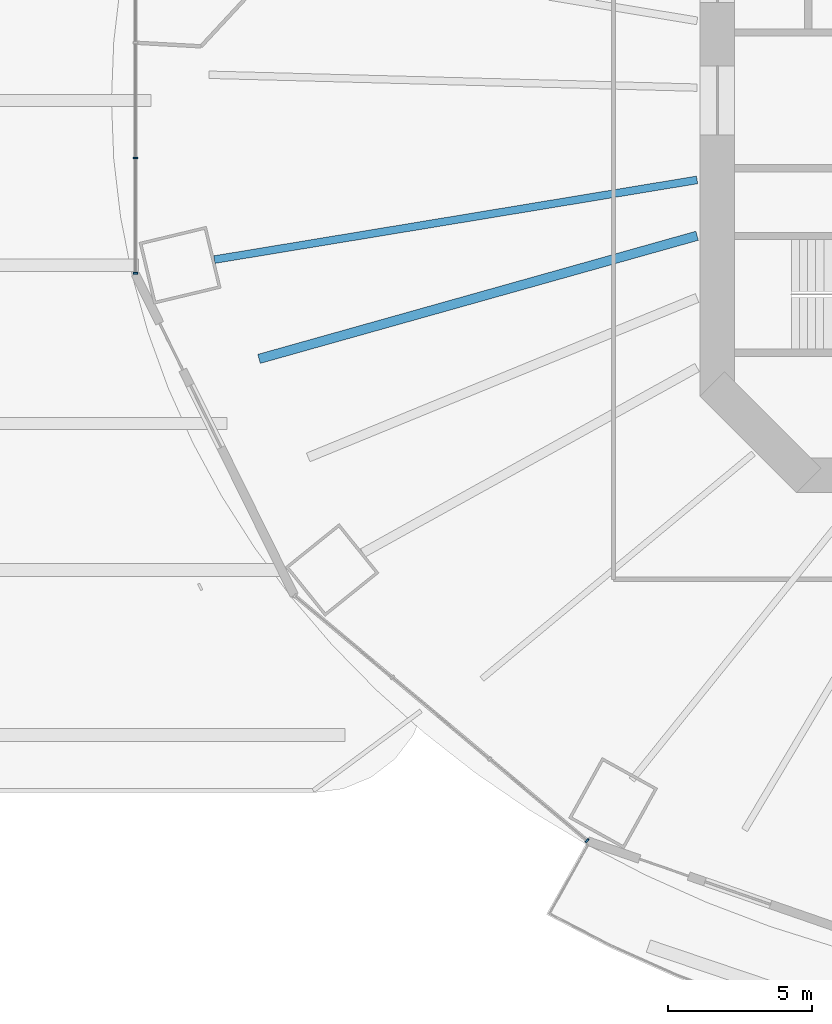
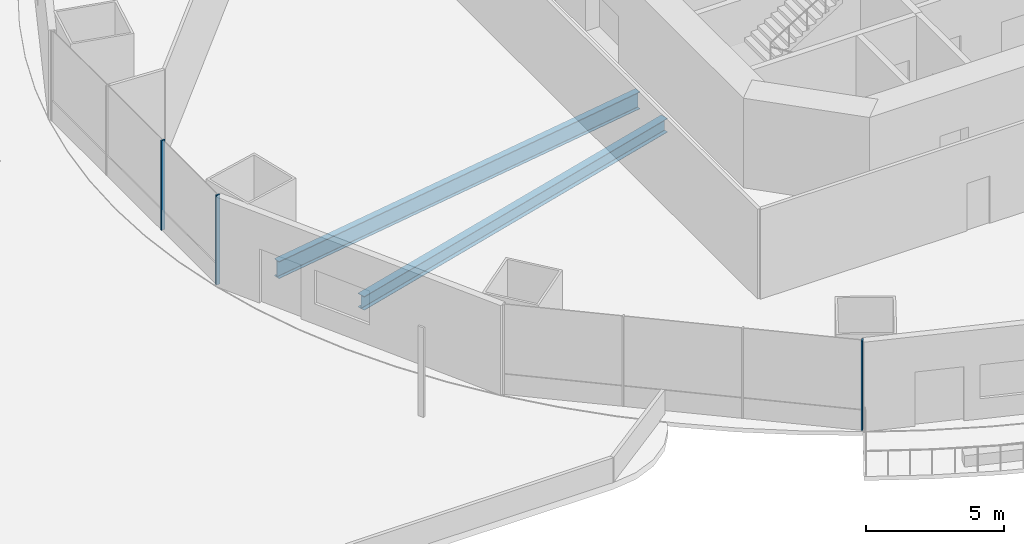
# One storey, part 4 of 27: 3 members, 2 beams, 2 elements without a shape of their own.
"""IFC4 building model written with IfcOpenShell, lengths in metres."""

from ifc_helpers import new_model, si_unit, direction, frame, origin, origin_2d, place, context, subcontext, project, spatial, rectangle, i_section, extrude, material, material_profile, profile_set, type_object, element, aggregate, save


model = new_model("IFC4")

# Units and contexts
model_context = context("Model", 3, precision=1e-05, world=origin(), true_north=direction((0.0, 1.0)))
body_context = subcontext(model_context, "Body", "Model", "MODEL_VIEW")
ifc_project = project(units=[si_unit("LENGTHUNIT", "METRE"), si_unit("AREAUNIT", "SQUARE_METRE"), si_unit("VOLUMEUNIT", "CUBIC_METRE"), si_unit("PLANEANGLEUNIT", "RADIAN"), si_unit("MASSUNIT", "GRAM", prefix="KILO")], contexts=[model_context])

# Site, building, storey
site_placement = place(None, origin())
site = spatial("IfcSite", under=ifc_project, at=site_placement, CompositionType="ELEMENT")
building_placement = place(site_placement, origin())
building = spatial("IfcBuilding", under=site, at=building_placement, Name="Marenthal Gate Tower", CompositionType="ELEMENT")
storey_placement = place(building_placement, frame((0.0, 0.0, 33.0)))
storey = spatial("IfcBuildingStorey", under=building, at=storey_placement, Name="L04", CompositionType="ELEMENT", Elevation=33.0)

# Curtain wall, members
ifc_material_1 = material(Name="Aluminium and glass", Category="aluminium")
curtain_wall_type = type_object("IfcCurtainWallType", Name="Curtain wall typical low", PredefinedType="NOTDEFINED", material=ifc_material_1)
curtain_wall_1_placement = place(storey_placement, origin())
curtain_wall_1 = element("IfcCurtainWall", 1, at=curtain_wall_1_placement, inside=storey, type_object=curtain_wall_type, Name="Curtain wall L04 bay 8", PredefinedType="NOTDEFINED")
ifc_material_2 = material(Name="Aluminium", Category="aluminium")
ifc_material_profile_1 = material_profile(ifc_material_2, rectangle(XDim=0.159912109375, YDim=0.06005859375, at=origin_2d()), Name="60x160 aluminium mullion")
ifc_profile_set_1 = profile_set([ifc_material_profile_1], Name="Aluminium")
member_type = type_object("IfcMemberType", Name="Mullion 60x160 typical low", PredefinedType="MULLION", material=ifc_profile_set_1)
member_1_placement = place(storey_placement, frame((-36.17138671875, -1.998046875, 0.0), z_axis=(0.0, 0.0, 1.0), x_axis=(1.0, 0.0, 0.0)))
member_1 = element("IfcMember", 2, at=member_1_placement, type_object=member_type, Name="Mullion L04 bay 8.3", PredefinedType="MULLION", context=body_context, shape_type="SweptSolid", body=[
    extrude(rectangle(XDim=0.159912109375, YDim=0.06005859375, at=origin_2d()), origin(), (0.0, 0.0, 1.0), 3.969970703125),
])
member_2_placement = place(storey_placement, frame((-36.17138671875, -5.994384765625, 0.0), z_axis=(0.0, 0.0, 1.0), x_axis=(1.0, 0.0, 0.0)))
member_2 = element("IfcMember", 3, at=member_2_placement, type_object=member_type, Name="Mullion L04 bay 8.4", PredefinedType="MULLION", context=body_context, shape_type="SweptSolid", body=[
    extrude(rectangle(XDim=0.159912109375, YDim=0.06005859375, at=origin_2d()), origin(), (0.0, 0.0, 1.0), 3.969970703125),
])
aggregate(curtain_wall_1, [member_1, member_2])

# Curtain wall, member
curtain_wall_2_placement = place(storey_placement, origin())
curtain_wall_2 = element("IfcCurtainWall", 4, at=curtain_wall_2_placement, inside=storey, type_object=curtain_wall_type, Name="Curtain wall L04 bay 10", PredefinedType="NOTDEFINED")
member_3_placement = place(storey_placement, frame((-20.512451171875, -25.656494140625, 0.0), z_axis=(0.0, 0.0, 1.0), x_axis=(0.641982192245, 0.76671954771, 0.0)))
member_3 = element("IfcMember", 5, at=member_3_placement, type_object=member_type, Name="Mullion L04 bay 10.4", PredefinedType="MULLION", context=body_context, shape_type="SweptSolid", body=[
    extrude(rectangle(XDim=0.159912109375, YDim=0.06005859375, at=origin_2d()), origin(), (0.0, 0.0, 1.0), 3.969970703125),
])
aggregate(curtain_wall_2, [member_3])

# Beams
ifc_material_3 = material(Name="Steel S355", Category="steel")
ifc_material_profile_2 = material_profile(ifc_material_3, i_section(OverallWidth=0.324951171875, OverallDepth=0.612060546875, WebThickness=0.0126953125, FlangeThickness=0.01904296875, FilletRadius=0.0126953125, at=origin_2d()), Name="W610X155")
ifc_profile_set_2 = profile_set([ifc_material_profile_2], Name="Steel S355")
beam_type_1 = type_object("IfcBeamType", Name="W610X155 beam", PredefinedType="BEAM", material=ifc_profile_set_2)
beam_1_placement = place(storey_placement, frame((-31.884521484375, -8.961181640625, -0.486083984375), z_axis=(0.962701855146, 0.27056448048, 0.0), x_axis=(-0.27056448048, 0.962701855146, 0.0)))
element("IfcBeam", 6, at=beam_1_placement, inside=storey, type_object=beam_type_1, Name="BM-L04-29", PredefinedType="BEAM", context=body_context, shape_type="SweptSolid", body=[
    extrude(i_section(OverallWidth=0.324951171875, OverallDepth=0.612060546875, WebThickness=0.0126953125, FlangeThickness=0.01904296875, FilletRadius=0.0126953125, at=origin_2d()), origin(), (0.0, 0.0, 1.0), 15.77294921875),
])
ifc_material_4 = material(Name="Steel S355", Category="steel")
ifc_material_profile_3 = material_profile(ifc_material_4, i_section(OverallWidth=0.26708984375, OverallDepth=0.761962890625, WebThickness=0.014404296875, FlangeThickness=0.021484375, FilletRadius=0.0166015625, at=origin_2d()), Name="W760X173")
ifc_profile_set_3 = profile_set([ifc_material_profile_3], Name="Steel S355")
beam_type_2 = type_object("IfcBeamType", Name="W760X173 beam", PredefinedType="BEAM", material=ifc_profile_set_3)
beam_2_placement = place(storey_placement, frame((-33.434814453125, -5.52001953125, -0.56103515625), z_axis=(0.986643309881, 0.162895607883, 0.0), x_axis=(-0.162895607883, 0.986643309881, 0.0)))
element("IfcBeam", 7, at=beam_2_placement, inside=storey, type_object=beam_type_2, Name="BM-L04-09", PredefinedType="BEAM", context=body_context, shape_type="SweptSolid", body=[
    extrude(i_section(OverallWidth=0.26708984375, OverallDepth=0.761962890625, WebThickness=0.014404296875, FlangeThickness=0.021484375, FilletRadius=0.0166015625, at=origin_2d()), origin(), (0.0, 0.0, 1.0), 16.96142578125),
])

save(model, "model.ifc")
